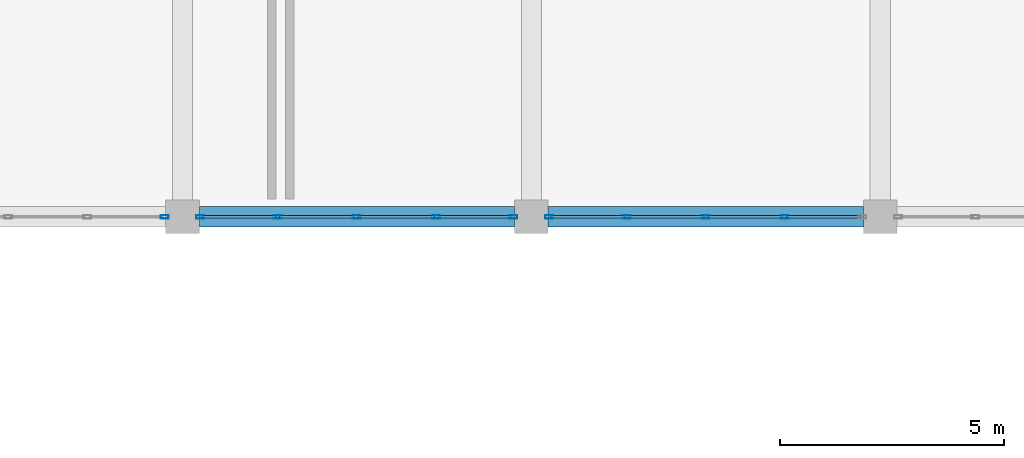
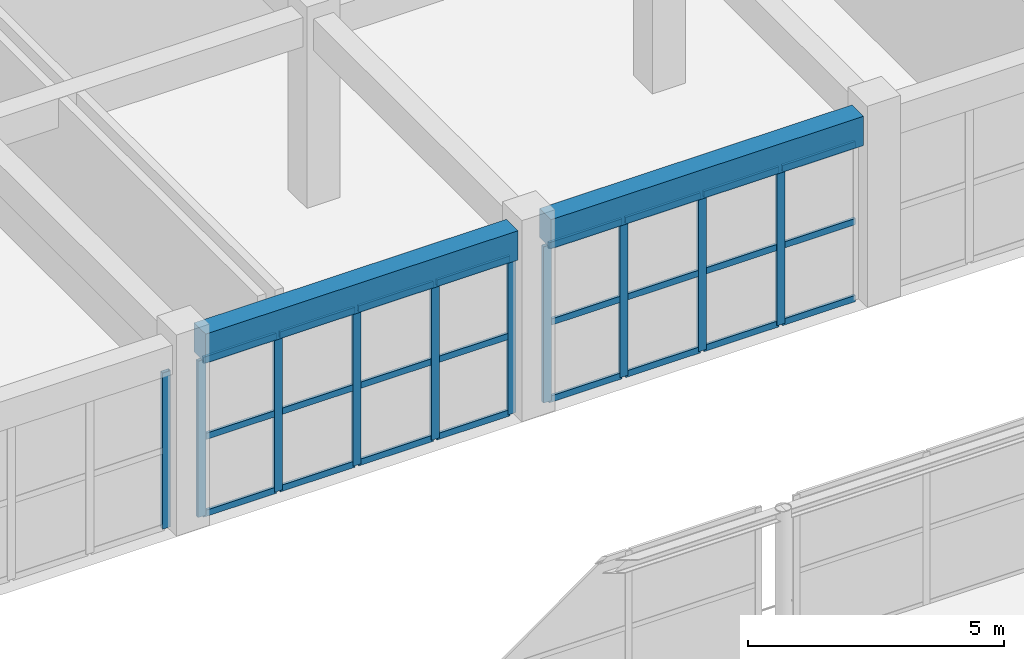
# One storey, part 76 of 167: 34 members, 2 beams, 3 elements without a shape of their own.
"""IFC4 building model written with IfcOpenShell, lengths in metres."""

from ifc_helpers import new_model, si_unit, direction, frame, origin, origin_2d, place, context, subcontext, project, spatial, rectangle, hollow_rectangle, extrude, material, layer, layer_set, material_profile, profile_set, type_object, element, aggregate, save


model = new_model("IFC4")

# Units and contexts
model_context = context("Model", 3, precision=1e-05, world=origin(), true_north=direction((0.0, 1.0)))
body_context = subcontext(model_context, "Body", "Model", "MODEL_VIEW")
ifc_project = project(units=[si_unit("LENGTHUNIT", "METRE"), si_unit("AREAUNIT", "SQUARE_METRE"), si_unit("VOLUMEUNIT", "CUBIC_METRE"), si_unit("PLANEANGLEUNIT", "RADIAN"), si_unit("MASSUNIT", "GRAM", prefix="KILO")], contexts=[model_context])

# Site, building, storey
site_placement = place(None, origin())
site = spatial("IfcSite", under=ifc_project, at=site_placement, CompositionType="ELEMENT")
building_placement = place(site_placement, origin())
building = spatial("IfcBuilding", under=site, at=building_placement, Name="Zizhar Promenade General Hospital", CompositionType="ELEMENT")
storey_placement = place(building_placement, frame((0.0, 0.0, 9.60009765625)))
storey = spatial("IfcBuildingStorey", under=building, at=storey_placement, Name="L02", CompositionType="ELEMENT", Elevation=9.60009765625)

# Beams
ifc_material_1 = material(Name="Concrete C35/45", Category="concrete")
ifc_material_profile_1 = material_profile(ifc_material_1, rectangle(XDim=0.449951171875, YDim=0.699951171875, at=origin_2d()))
ifc_profile_set_1 = profile_set([ifc_material_profile_1], Name="Concrete C35/45")
beam_type = type_object("IfcBeamType", Name="BM-RC-450x700", PredefinedType="BEAM", material=ifc_profile_set_1)
beam_1_placement = place(storey_placement, frame((93.97509765625, 92.39990234375, 4.119873046875), z_axis=(1.0, 0.0, 0.0), x_axis=(0.0, 1.0, 0.0)))
element("IfcBeam", 1, at=beam_1_placement, inside=storey, type_object=beam_type, Name="Grid Beam X L02 (12-11)", PredefinedType="BEAM", context=body_context, shape_type="SweptSolid", body=[
    extrude(rectangle(XDim=0.449951171875, YDim=0.699951171875, at=origin_2d()), origin(), (0.0, 0.0, 1.0), 7.0498046875),
])
beam_2_placement = place(storey_placement, frame((101.77490234375, 92.39990234375, 4.119873046875), z_axis=(1.0, 0.0, 0.0), x_axis=(0.0, 1.0, 0.0)))
element("IfcBeam", 2, at=beam_2_placement, inside=storey, type_object=beam_type, Name="Grid Beam X L02 (13-11)", PredefinedType="BEAM", context=body_context, shape_type="SweptSolid", body=[
    extrude(rectangle(XDim=0.449951171875, YDim=0.699951171875, at=origin_2d()), origin(), (0.0, 0.0, 1.0), 7.050048828125),
])

# Curtain wall, member
ifc_material_2 = material(Name="Anodised aluminium 6063-T6 and low-E glass", Category="aluminium")
ifc_layer = layer(ifc_material_2, 0.159912109375)
ifc_layer_set = layer_set([ifc_layer], Name="Anodised aluminium 6063-T6 and low-E glass")
curtain_wall_type = type_object("IfcCurtainWallType", Name="CW-DT-MOD1", PredefinedType="NOTDEFINED", material=ifc_layer_set)
curtain_wall_1_placement = place(storey_placement, origin())
curtain_wall_1 = element("IfcCurtainWall", 3, at=curtain_wall_1_placement, inside=storey, type_object=curtain_wall_type, Name="Garden Court North Surgical Glazing L02-11", PredefinedType="NOTDEFINED")
ifc_material_3 = material(Name="Anodised aluminium 6063-T6", Category="aluminium")
ifc_material_profile_2 = material_profile(ifc_material_3, hollow_rectangle(XDim=0.080078125, YDim=0.179931640625, WallThickness=0.0048828125, at=origin_2d()))
ifc_profile_set_2 = profile_set([ifc_material_profile_2], Name="Anodised aluminium 6063-T6")
member_type_1 = type_object("IfcMemberType", Name="CWM-ALU-180x80", PredefinedType="MULLION", material=ifc_profile_set_2)
member_1_placement = place(storey_placement, frame((93.199951171875, 92.39990234375, 0.0), z_axis=(0.0, 0.0, 1.0), x_axis=(0.0, -1.0, 0.0)))
member_1 = element("IfcMember", 4, at=member_1_placement, type_object=member_type_1, Name="CW-07 mullion 1", PredefinedType="MULLION", context=body_context, shape_type="SweptSolid", body=[
    extrude(hollow_rectangle(XDim=0.080078125, YDim=0.179931640625, WallThickness=0.0048828125, at=origin_2d()), origin(), (0.0, 0.0, 1.0), 3.72998046875),
])
aggregate(curtain_wall_1, [member_1])

# Curtain wall, members
curtain_wall_2_placement = place(storey_placement, origin())
curtain_wall_2 = element("IfcCurtainWall", 5, at=curtain_wall_2_placement, inside=storey, type_object=curtain_wall_type, Name="Garden Court North Surgical Glazing L02-12", PredefinedType="NOTDEFINED")
member_2_placement = place(storey_placement, frame((101.0, 92.39990234375, 0.0), z_axis=(0.0, 0.0, 1.0), x_axis=(0.0, -1.0, 0.0)))
member_2 = element("IfcMember", 6, at=member_2_placement, type_object=member_type_1, Name="CW-07 mullion 1", PredefinedType="MULLION", context=body_context, shape_type="SweptSolid", body=[
    extrude(hollow_rectangle(XDim=0.080078125, YDim=0.179931640625, WallThickness=0.0048828125, at=origin_2d()), origin(), (0.0, 0.0, 1.0), 3.72998046875),
])
member_3_placement = place(storey_placement, frame((99.27001953125, 92.39990234375, 0.0), z_axis=(0.0, 0.0, 1.0), x_axis=(0.0, -1.0, 0.0)))
member_3 = element("IfcMember", 7, at=member_3_placement, type_object=member_type_1, Name="CW-07 mullion 2", PredefinedType="MULLION", context=body_context, shape_type="SweptSolid", body=[
    extrude(hollow_rectangle(XDim=0.080078125, YDim=0.179931640625, WallThickness=0.0048828125, at=origin_2d()), origin(), (0.0, 0.0, 1.0), 3.72998046875),
])
member_4_placement = place(storey_placement, frame((97.5, 92.39990234375, 0.0), z_axis=(0.0, 0.0, 1.0), x_axis=(0.0, -1.0, 0.0)))
member_4 = element("IfcMember", 8, at=member_4_placement, type_object=member_type_1, Name="CW-07 mullion 3", PredefinedType="MULLION", context=body_context, shape_type="SweptSolid", body=[
    extrude(hollow_rectangle(XDim=0.080078125, YDim=0.179931640625, WallThickness=0.0048828125, at=origin_2d()), origin(), (0.0, 0.0, 1.0), 3.72998046875),
])
member_5_placement = place(storey_placement, frame((95.72998046875, 92.39990234375, 0.0), z_axis=(0.0, 0.0, 1.0), x_axis=(0.0, -1.0, 0.0)))
member_5 = element("IfcMember", 9, at=member_5_placement, type_object=member_type_1, Name="CW-07 mullion 4", PredefinedType="MULLION", context=body_context, shape_type="SweptSolid", body=[
    extrude(hollow_rectangle(XDim=0.080078125, YDim=0.179931640625, WallThickness=0.0048828125, at=origin_2d()), origin(), (0.0, 0.0, 1.0), 3.72998046875),
])
member_6_placement = place(storey_placement, frame((94.0, 92.39990234375, 0.0), z_axis=(0.0, 0.0, 1.0), x_axis=(0.0, -1.0, 0.0)))
member_6 = element("IfcMember", 10, at=member_6_placement, type_object=member_type_1, Name="CW-07 mullion 5", PredefinedType="MULLION", context=body_context, shape_type="SweptSolid", body=[
    extrude(hollow_rectangle(XDim=0.080078125, YDim=0.179931640625, WallThickness=0.0048828125, at=origin_2d()), origin(), (0.0, 0.0, 1.0), 3.72998046875),
])

curtain_wall_3_placement = place(storey_placement, origin())
curtain_wall_3 = element("IfcCurtainWall", 11, at=curtain_wall_3_placement, inside=storey, type_object=curtain_wall_type, Name="Garden Court North Surgical Glazing L02-13", PredefinedType="NOTDEFINED")
member_7_placement = place(storey_placement, frame((107.070068359375, 92.39990234375, 0.0), z_axis=(0.0, 0.0, 1.0), x_axis=(0.0, -1.0, 0.0)))
member_7 = element("IfcMember", 12, at=member_7_placement, type_object=member_type_1, Name="CW-07 mullion 2", PredefinedType="MULLION", context=body_context, shape_type="SweptSolid", body=[
    extrude(hollow_rectangle(XDim=0.080078125, YDim=0.179931640625, WallThickness=0.0048828125, at=origin_2d()), origin(), (0.0, 0.0, 1.0), 3.72998046875),
])
member_8_placement = place(storey_placement, frame((105.300048828125, 92.39990234375, 0.0), z_axis=(0.0, 0.0, 1.0), x_axis=(0.0, -1.0, 0.0)))
member_8 = element("IfcMember", 13, at=member_8_placement, type_object=member_type_1, Name="CW-07 mullion 3", PredefinedType="MULLION", context=body_context, shape_type="SweptSolid", body=[
    extrude(hollow_rectangle(XDim=0.080078125, YDim=0.179931640625, WallThickness=0.0048828125, at=origin_2d()), origin(), (0.0, 0.0, 1.0), 3.72998046875),
])
member_9_placement = place(storey_placement, frame((103.530029296875, 92.39990234375, 0.0), z_axis=(0.0, 0.0, 1.0), x_axis=(0.0, -1.0, 0.0)))
member_9 = element("IfcMember", 14, at=member_9_placement, type_object=member_type_1, Name="CW-07 mullion 4", PredefinedType="MULLION", context=body_context, shape_type="SweptSolid", body=[
    extrude(hollow_rectangle(XDim=0.080078125, YDim=0.179931640625, WallThickness=0.0048828125, at=origin_2d()), origin(), (0.0, 0.0, 1.0), 3.72998046875),
])
member_10_placement = place(storey_placement, frame((101.800048828125, 92.39990234375, 0.0), z_axis=(0.0, 0.0, 1.0), x_axis=(0.0, -1.0, 0.0)))
member_10 = element("IfcMember", 15, at=member_10_placement, type_object=member_type_1, Name="CW-07 mullion 5", PredefinedType="MULLION", context=body_context, shape_type="SweptSolid", body=[
    extrude(hollow_rectangle(XDim=0.080078125, YDim=0.179931640625, WallThickness=0.0048828125, at=origin_2d()), origin(), (0.0, 0.0, 1.0), 3.72998046875),
])

# Member
ifc_material_4 = material(Name="Anodised aluminium 6063-T6", Category="aluminium")
ifc_material_profile_3 = material_profile(ifc_material_4, hollow_rectangle(XDim=0.06005859375, YDim=0.14990234375, WallThickness=0.00390625, at=origin_2d()))
ifc_profile_set_3 = profile_set([ifc_material_profile_3], Name="Anodised aluminium 6063-T6")
member_type_2 = type_object("IfcMemberType", Name="CWT-ALU-150x60", PredefinedType="USERDEFINED", material=ifc_profile_set_3)
member_11_placement = place(storey_placement, frame((100.9599609375, 92.39990234375, 0.02978515625), z_axis=(-1.0, 0.0, 0.0), x_axis=(0.0, -1.0, 0.0)))
member_11 = element("IfcMember", 16, at=member_11_placement, type_object=member_type_2, Name="CW-07 transom 1.1", ObjectType="TRANSOM", PredefinedType="USERDEFINED", context=body_context, shape_type="SweptSolid", body=[
    extrude(hollow_rectangle(XDim=0.06005859375, YDim=0.14990234375, WallThickness=0.00390625, at=origin_2d()), origin(), (0.0, 0.0, 1.0), 1.64990234375),
])

member_12_placement = place(storey_placement, frame((100.9599609375, 92.39990234375, 1.864990234375), z_axis=(-1.0, 0.0, 0.0), x_axis=(0.0, -1.0, 0.0)))
member_12 = element("IfcMember", 17, at=member_12_placement, type_object=member_type_2, Name="CW-07 transom 1.2", ObjectType="TRANSOM", PredefinedType="USERDEFINED", context=body_context, shape_type="SweptSolid", body=[
    extrude(hollow_rectangle(XDim=0.06005859375, YDim=0.14990234375, WallThickness=0.00390625, at=origin_2d()), origin(), (0.0, 0.0, 1.0), 1.64990234375),
])

member_13_placement = place(storey_placement, frame((100.9599609375, 92.39990234375, 3.699951171875), z_axis=(-1.0, 0.0, 0.0), x_axis=(0.0, -1.0, 0.0)))
member_13 = element("IfcMember", 18, at=member_13_placement, type_object=member_type_2, Name="CW-07 transom 1.3", ObjectType="TRANSOM", PredefinedType="USERDEFINED", context=body_context, shape_type="SweptSolid", body=[
    extrude(hollow_rectangle(XDim=0.06005859375, YDim=0.14990234375, WallThickness=0.00390625, at=origin_2d()), origin(), (0.0, 0.0, 1.0), 1.64990234375),
])

member_14_placement = place(storey_placement, frame((99.22998046875, 92.39990234375, 0.02978515625), z_axis=(-1.0, 0.0, 0.0), x_axis=(0.0, -1.0, 0.0)))
member_14 = element("IfcMember", 19, at=member_14_placement, type_object=member_type_2, Name="CW-07 transom 2.1", ObjectType="TRANSOM", PredefinedType="USERDEFINED", context=body_context, shape_type="SweptSolid", body=[
    extrude(hollow_rectangle(XDim=0.06005859375, YDim=0.14990234375, WallThickness=0.00390625, at=origin_2d()), origin(), (0.0, 0.0, 1.0), 1.68994140625),
])

member_15_placement = place(storey_placement, frame((99.22998046875, 92.39990234375, 1.864990234375), z_axis=(-1.0, 0.0, 0.0), x_axis=(0.0, -1.0, 0.0)))
member_15 = element("IfcMember", 20, at=member_15_placement, type_object=member_type_2, Name="CW-07 transom 2.2", ObjectType="TRANSOM", PredefinedType="USERDEFINED", context=body_context, shape_type="SweptSolid", body=[
    extrude(hollow_rectangle(XDim=0.06005859375, YDim=0.14990234375, WallThickness=0.00390625, at=origin_2d()), origin(), (0.0, 0.0, 1.0), 1.68994140625),
])

member_16_placement = place(storey_placement, frame((99.22998046875, 92.39990234375, 3.699951171875), z_axis=(-1.0, 0.0, 0.0), x_axis=(0.0, -1.0, 0.0)))
member_16 = element("IfcMember", 21, at=member_16_placement, type_object=member_type_2, Name="CW-07 transom 2.3", ObjectType="TRANSOM", PredefinedType="USERDEFINED", context=body_context, shape_type="SweptSolid", body=[
    extrude(hollow_rectangle(XDim=0.06005859375, YDim=0.14990234375, WallThickness=0.00390625, at=origin_2d()), origin(), (0.0, 0.0, 1.0), 1.68994140625),
])

member_17_placement = place(storey_placement, frame((97.4599609375, 92.39990234375, 0.02978515625), z_axis=(-1.0, 0.0, 0.0), x_axis=(0.0, -1.0, 0.0)))
member_17 = element("IfcMember", 22, at=member_17_placement, type_object=member_type_2, Name="CW-07 transom 3.1", ObjectType="TRANSOM", PredefinedType="USERDEFINED", context=body_context, shape_type="SweptSolid", body=[
    extrude(hollow_rectangle(XDim=0.06005859375, YDim=0.14990234375, WallThickness=0.00390625, at=origin_2d()), origin(), (0.0, 0.0, 1.0), 1.68994140625),
])

member_18_placement = place(storey_placement, frame((97.4599609375, 92.39990234375, 1.864990234375), z_axis=(-1.0, 0.0, 0.0), x_axis=(0.0, -1.0, 0.0)))
member_18 = element("IfcMember", 23, at=member_18_placement, type_object=member_type_2, Name="CW-07 transom 3.2", ObjectType="TRANSOM", PredefinedType="USERDEFINED", context=body_context, shape_type="SweptSolid", body=[
    extrude(hollow_rectangle(XDim=0.06005859375, YDim=0.14990234375, WallThickness=0.00390625, at=origin_2d()), origin(), (0.0, 0.0, 1.0), 1.68994140625),
])

member_19_placement = place(storey_placement, frame((97.4599609375, 92.39990234375, 3.699951171875), z_axis=(-1.0, 0.0, 0.0), x_axis=(0.0, -1.0, 0.0)))
member_19 = element("IfcMember", 24, at=member_19_placement, type_object=member_type_2, Name="CW-07 transom 3.3", ObjectType="TRANSOM", PredefinedType="USERDEFINED", context=body_context, shape_type="SweptSolid", body=[
    extrude(hollow_rectangle(XDim=0.06005859375, YDim=0.14990234375, WallThickness=0.00390625, at=origin_2d()), origin(), (0.0, 0.0, 1.0), 1.68994140625),
])

member_20_placement = place(storey_placement, frame((95.68994140625, 92.39990234375, 0.02978515625), z_axis=(-1.0, 0.0, 0.0), x_axis=(0.0, -1.0, 0.0)))
member_20 = element("IfcMember", 25, at=member_20_placement, type_object=member_type_2, Name="CW-07 transom 4.1", ObjectType="TRANSOM", PredefinedType="USERDEFINED", context=body_context, shape_type="SweptSolid", body=[
    extrude(hollow_rectangle(XDim=0.06005859375, YDim=0.14990234375, WallThickness=0.00390625, at=origin_2d()), origin(), (0.0, 0.0, 1.0), 1.64990234375),
])

member_21_placement = place(storey_placement, frame((95.68994140625, 92.39990234375, 1.864990234375), z_axis=(-1.0, 0.0, 0.0), x_axis=(0.0, -1.0, 0.0)))
member_21 = element("IfcMember", 26, at=member_21_placement, type_object=member_type_2, Name="CW-07 transom 4.2", ObjectType="TRANSOM", PredefinedType="USERDEFINED", context=body_context, shape_type="SweptSolid", body=[
    extrude(hollow_rectangle(XDim=0.06005859375, YDim=0.14990234375, WallThickness=0.00390625, at=origin_2d()), origin(), (0.0, 0.0, 1.0), 1.64990234375),
])

member_22_placement = place(storey_placement, frame((95.68994140625, 92.39990234375, 3.699951171875), z_axis=(-1.0, 0.0, 0.0), x_axis=(0.0, -1.0, 0.0)))
member_22 = element("IfcMember", 27, at=member_22_placement, type_object=member_type_2, Name="CW-07 transom 4.3", ObjectType="TRANSOM", PredefinedType="USERDEFINED", context=body_context, shape_type="SweptSolid", body=[
    extrude(hollow_rectangle(XDim=0.06005859375, YDim=0.14990234375, WallThickness=0.00390625, at=origin_2d()), origin(), (0.0, 0.0, 1.0), 1.64990234375),
])

aggregate(curtain_wall_2, [member_2, member_3, member_4, member_5, member_6, member_11, member_12, member_13, member_14, member_15, member_16, member_17, member_18, member_19, member_20, member_21, member_22])

member_23_placement = place(storey_placement, frame((108.760009765625, 92.39990234375, 0.02978515625), z_axis=(-1.0, 0.0, 0.0), x_axis=(0.0, -1.0, 0.0)))
member_23 = element("IfcMember", 28, at=member_23_placement, type_object=member_type_2, Name="CW-07 transom 1.1", ObjectType="TRANSOM", PredefinedType="USERDEFINED", context=body_context, shape_type="SweptSolid", body=[
    extrude(hollow_rectangle(XDim=0.06005859375, YDim=0.14990234375, WallThickness=0.00390625, at=origin_2d()), origin(), (0.0, 0.0, 1.0), 1.64990234375),
])

member_24_placement = place(storey_placement, frame((108.760009765625, 92.39990234375, 1.864990234375), z_axis=(-1.0, 0.0, 0.0), x_axis=(0.0, -1.0, 0.0)))
member_24 = element("IfcMember", 29, at=member_24_placement, type_object=member_type_2, Name="CW-07 transom 1.2", ObjectType="TRANSOM", PredefinedType="USERDEFINED", context=body_context, shape_type="SweptSolid", body=[
    extrude(hollow_rectangle(XDim=0.06005859375, YDim=0.14990234375, WallThickness=0.00390625, at=origin_2d()), origin(), (0.0, 0.0, 1.0), 1.64990234375),
])

member_25_placement = place(storey_placement, frame((108.760009765625, 92.39990234375, 3.699951171875), z_axis=(-1.0, 0.0, 0.0), x_axis=(0.0, -1.0, 0.0)))
member_25 = element("IfcMember", 30, at=member_25_placement, type_object=member_type_2, Name="CW-07 transom 1.3", ObjectType="TRANSOM", PredefinedType="USERDEFINED", context=body_context, shape_type="SweptSolid", body=[
    extrude(hollow_rectangle(XDim=0.06005859375, YDim=0.14990234375, WallThickness=0.00390625, at=origin_2d()), origin(), (0.0, 0.0, 1.0), 1.64990234375),
])

member_26_placement = place(storey_placement, frame((107.030029296875, 92.39990234375, 0.02978515625), z_axis=(-1.0, 0.0, 0.0), x_axis=(0.0, -1.0, 0.0)))
member_26 = element("IfcMember", 31, at=member_26_placement, type_object=member_type_2, Name="CW-07 transom 2.1", ObjectType="TRANSOM", PredefinedType="USERDEFINED", context=body_context, shape_type="SweptSolid", body=[
    extrude(hollow_rectangle(XDim=0.06005859375, YDim=0.14990234375, WallThickness=0.00390625, at=origin_2d()), origin(), (0.0, 0.0, 1.0), 1.68994140625),
])

member_27_placement = place(storey_placement, frame((107.030029296875, 92.39990234375, 1.864990234375), z_axis=(-1.0, 0.0, 0.0), x_axis=(0.0, -1.0, 0.0)))
member_27 = element("IfcMember", 32, at=member_27_placement, type_object=member_type_2, Name="CW-07 transom 2.2", ObjectType="TRANSOM", PredefinedType="USERDEFINED", context=body_context, shape_type="SweptSolid", body=[
    extrude(hollow_rectangle(XDim=0.06005859375, YDim=0.14990234375, WallThickness=0.00390625, at=origin_2d()), origin(), (0.0, 0.0, 1.0), 1.68994140625),
])

member_28_placement = place(storey_placement, frame((107.030029296875, 92.39990234375, 3.699951171875), z_axis=(-1.0, 0.0, 0.0), x_axis=(0.0, -1.0, 0.0)))
member_28 = element("IfcMember", 33, at=member_28_placement, type_object=member_type_2, Name="CW-07 transom 2.3", ObjectType="TRANSOM", PredefinedType="USERDEFINED", context=body_context, shape_type="SweptSolid", body=[
    extrude(hollow_rectangle(XDim=0.06005859375, YDim=0.14990234375, WallThickness=0.00390625, at=origin_2d()), origin(), (0.0, 0.0, 1.0), 1.68994140625),
])

member_29_placement = place(storey_placement, frame((105.260009765625, 92.39990234375, 0.02978515625), z_axis=(-1.0, 0.0, 0.0), x_axis=(0.0, -1.0, 0.0)))
member_29 = element("IfcMember", 34, at=member_29_placement, type_object=member_type_2, Name="CW-07 transom 3.1", ObjectType="TRANSOM", PredefinedType="USERDEFINED", context=body_context, shape_type="SweptSolid", body=[
    extrude(hollow_rectangle(XDim=0.06005859375, YDim=0.14990234375, WallThickness=0.00390625, at=origin_2d()), origin(), (0.0, 0.0, 1.0), 1.68994140625),
])

member_30_placement = place(storey_placement, frame((105.260009765625, 92.39990234375, 1.864990234375), z_axis=(-1.0, 0.0, 0.0), x_axis=(0.0, -1.0, 0.0)))
member_30 = element("IfcMember", 35, at=member_30_placement, type_object=member_type_2, Name="CW-07 transom 3.2", ObjectType="TRANSOM", PredefinedType="USERDEFINED", context=body_context, shape_type="SweptSolid", body=[
    extrude(hollow_rectangle(XDim=0.06005859375, YDim=0.14990234375, WallThickness=0.00390625, at=origin_2d()), origin(), (0.0, 0.0, 1.0), 1.68994140625),
])

member_31_placement = place(storey_placement, frame((105.260009765625, 92.39990234375, 3.699951171875), z_axis=(-1.0, 0.0, 0.0), x_axis=(0.0, -1.0, 0.0)))
member_31 = element("IfcMember", 36, at=member_31_placement, type_object=member_type_2, Name="CW-07 transom 3.3", ObjectType="TRANSOM", PredefinedType="USERDEFINED", context=body_context, shape_type="SweptSolid", body=[
    extrude(hollow_rectangle(XDim=0.06005859375, YDim=0.14990234375, WallThickness=0.00390625, at=origin_2d()), origin(), (0.0, 0.0, 1.0), 1.68994140625),
])

member_32_placement = place(storey_placement, frame((103.489990234375, 92.39990234375, 0.02978515625), z_axis=(-1.0, 0.0, 0.0), x_axis=(0.0, -1.0, 0.0)))
member_32 = element("IfcMember", 37, at=member_32_placement, type_object=member_type_2, Name="CW-07 transom 4.1", ObjectType="TRANSOM", PredefinedType="USERDEFINED", context=body_context, shape_type="SweptSolid", body=[
    extrude(hollow_rectangle(XDim=0.06005859375, YDim=0.14990234375, WallThickness=0.00390625, at=origin_2d()), origin(), (0.0, 0.0, 1.0), 1.64990234375),
])

member_33_placement = place(storey_placement, frame((103.489990234375, 92.39990234375, 1.864990234375), z_axis=(-1.0, 0.0, 0.0), x_axis=(0.0, -1.0, 0.0)))
member_33 = element("IfcMember", 38, at=member_33_placement, type_object=member_type_2, Name="CW-07 transom 4.2", ObjectType="TRANSOM", PredefinedType="USERDEFINED", context=body_context, shape_type="SweptSolid", body=[
    extrude(hollow_rectangle(XDim=0.06005859375, YDim=0.14990234375, WallThickness=0.00390625, at=origin_2d()), origin(), (0.0, 0.0, 1.0), 1.64990234375),
])

member_34_placement = place(storey_placement, frame((103.489990234375, 92.39990234375, 3.699951171875), z_axis=(-1.0, 0.0, 0.0), x_axis=(0.0, -1.0, 0.0)))
member_34 = element("IfcMember", 39, at=member_34_placement, type_object=member_type_2, Name="CW-07 transom 4.3", ObjectType="TRANSOM", PredefinedType="USERDEFINED", context=body_context, shape_type="SweptSolid", body=[
    extrude(hollow_rectangle(XDim=0.06005859375, YDim=0.14990234375, WallThickness=0.00390625, at=origin_2d()), origin(), (0.0, 0.0, 1.0), 1.64990234375),
])

aggregate(curtain_wall_3, [member_7, member_8, member_9, member_10, member_23, member_24, member_25, member_26, member_27, member_28, member_29, member_30, member_31, member_32, member_33, member_34])

save(model, "model.ifc")
